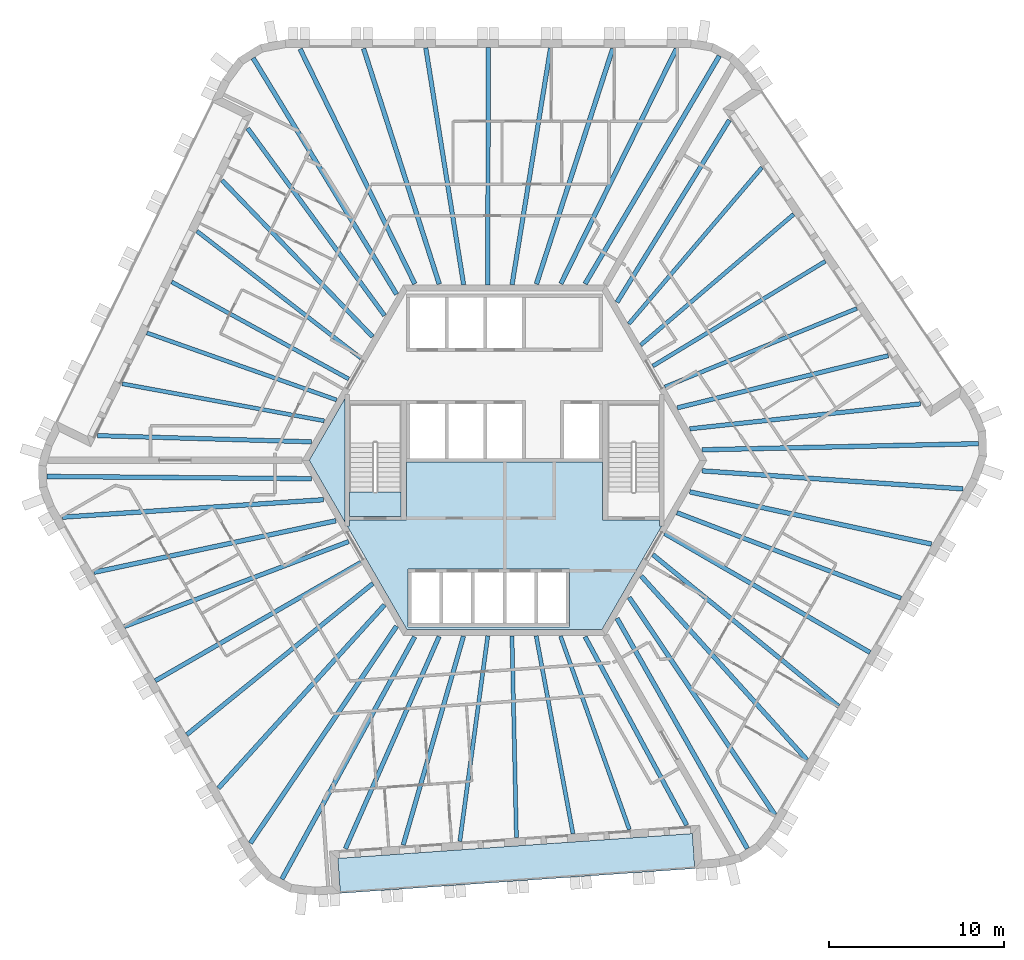
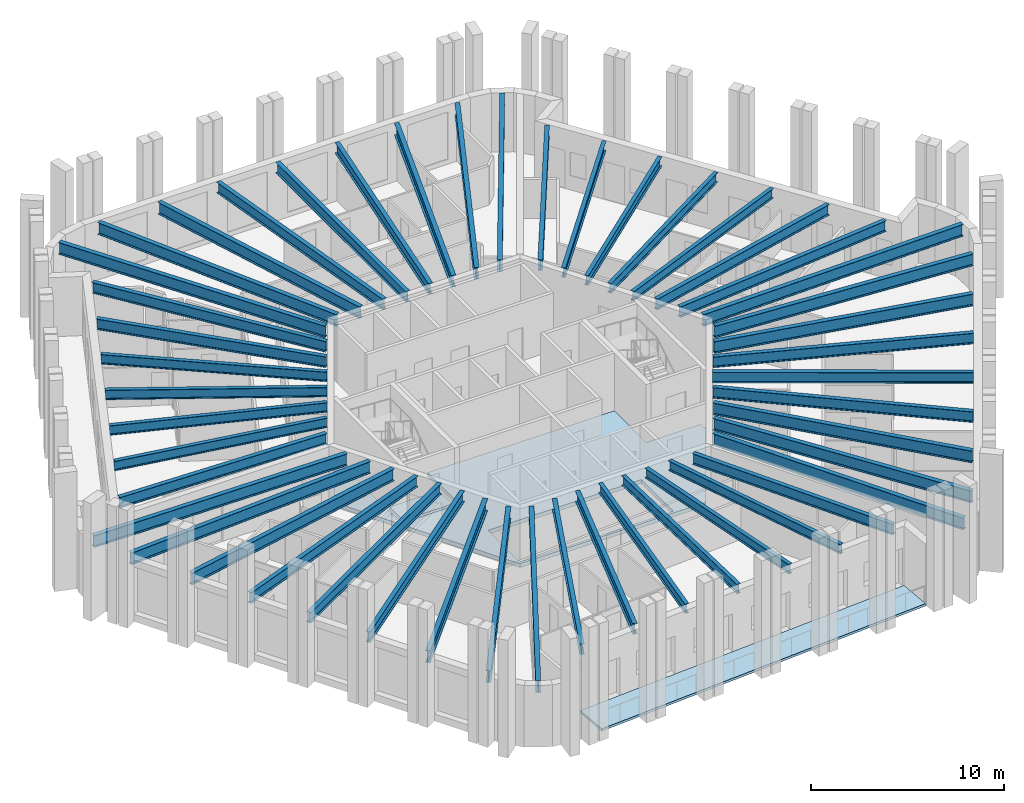
# One storey, part 1 of 12: 48 beams, 4 slabs.
"""IFC4 building model written with IfcOpenShell, lengths in metres."""

from ifc_helpers import new_model, si_unit, direction, frame, origin, origin_2d, place, context, subcontext, project, spatial, polyline, i_section, outline, extrude, material, layer, layer_set, material_profile, profile_set, type_object, element, save


model = new_model("IFC4")

# Units and contexts
model_context = context("Model", 3, precision=1e-05, world=origin(), true_north=direction((0.0, 1.0)))
body_context = subcontext(model_context, "Body", "Model", "MODEL_VIEW")
ifc_project = project(units=[si_unit("LENGTHUNIT", "METRE"), si_unit("AREAUNIT", "SQUARE_METRE"), si_unit("VOLUMEUNIT", "CUBIC_METRE"), si_unit("PLANEANGLEUNIT", "RADIAN"), si_unit("MASSUNIT", "GRAM", prefix="KILO")], contexts=[model_context])

# Site, building, storey
site_placement = place(None, origin())
site = spatial("IfcSite", under=ifc_project, at=site_placement, CompositionType="ELEMENT")
building_placement = place(site_placement, origin())
building = spatial("IfcBuilding", under=site, at=building_placement, Name="Tarnside Tower", CompositionType="ELEMENT")
storey_placement = place(building_placement, frame((0.0, 0.0, 369.0)))
storey = spatial("IfcBuildingStorey", under=building, at=storey_placement, Name="L89", CompositionType="ELEMENT", Elevation=369.0)

# Beams
ifc_material_1 = material(Name="Steel S355", Category="steel")
ifc_material_profile_1 = material_profile(ifc_material_1, i_section(OverallWidth=0.228271484375, OverallDepth=0.607666015625, WebThickness=0.010986328125, FlangeThickness=0.017333984375, FilletRadius=0.0126953125, at=origin_2d()), Name="UB 610x229x113")
ifc_profile_set_1 = profile_set([ifc_material_profile_1], Name="Steel S355")
beam_type_1 = type_object("IfcBeamType", Name="Floor beam UB 610x229x113", PredefinedType="BEAM", material=ifc_profile_set_1)
beam_1_placement = place(storey_placement, frame((-17.5537109375, 13.079345703125, 3.4462890625), z_axis=(0.790645071634, -0.612274750991, 0.0), x_axis=(0.612274750991, 0.790645071634, 0.0)))
element("IfcBeam", 1, at=beam_1_placement, inside=storey, type_object=beam_type_1, Name="Floor beam F2.03", PredefinedType="BEAM", context=body_context, shape_type="SweptSolid", body=[
    extrude(i_section(OverallWidth=0.228271484375, OverallDepth=0.607666015625, WebThickness=0.010986328125, FlangeThickness=0.017333984375, FilletRadius=0.0126953125, at=origin_2d()), origin(), (0.0, 0.0, 1.0), 11.829833984375),
])
beam_2_placement = place(storey_placement, frame((-18.98974609375, 10.1787109375, 3.4462890625), z_axis=(0.876798859106, -0.480857318412, 0.0), x_axis=(0.480857318412, 0.876798859106, 0.0)))
element("IfcBeam", 2, at=beam_2_placement, inside=storey, type_object=beam_type_1, Name="Floor beam F2.04", PredefinedType="BEAM", context=body_context, shape_type="SweptSolid", body=[
    extrude(i_section(OverallWidth=0.228271484375, OverallDepth=0.607666015625, WebThickness=0.010986328125, FlangeThickness=0.017333984375, FilletRadius=0.0126953125, at=origin_2d()), origin(), (0.0, 0.0, 1.0), 11.517578125),
])
beam_3_placement = place(storey_placement, frame((-20.408203125, 7.27099609375, 3.4462890625), z_axis=(0.942835979757, -0.33325713087, 0.0), x_axis=(0.33325713087, 0.942835979757, 0.0)))
element("IfcBeam", 3, at=beam_3_placement, inside=storey, type_object=beam_type_1, Name="Floor beam F2.05", PredefinedType="BEAM", context=body_context, shape_type="SweptSolid", body=[
    extrude(i_section(OverallWidth=0.228271484375, OverallDepth=0.607666015625, WebThickness=0.010986328125, FlangeThickness=0.017333984375, FilletRadius=0.0126953125, at=origin_2d()), origin(), (0.0, 0.0, 1.0), 11.4833984375),
])
beam_4_placement = place(storey_placement, frame((-21.80517578125, 4.3642578125, 3.4462890625), z_axis=(0.983583368825, -0.180454306048, 0.0), x_axis=(0.180454306048, 0.983583368825, 0.0)))
element("IfcBeam", 4, at=beam_4_placement, inside=storey, type_object=beam_type_1, Name="Floor beam F2.06", PredefinedType="BEAM", context=body_context, shape_type="SweptSolid", body=[
    extrude(i_section(OverallWidth=0.228271484375, OverallDepth=0.607666015625, WebThickness=0.010986328125, FlangeThickness=0.017333984375, FilletRadius=0.0126953125, at=origin_2d()), origin(), (0.0, 0.0, 1.0), 11.706787109375),
])
beam_5_placement = place(storey_placement, frame((-2.550048828125, -21.74169921875, 3.4462890625), z_axis=(0.134905991625, 0.990858402308, 0.0), x_axis=(-0.990858402308, 0.134905991625, 0.0)))
element("IfcBeam", 5, at=beam_5_placement, inside=storey, type_object=beam_type_1, Name="Floor beam F4.03", PredefinedType="BEAM", context=body_context, shape_type="SweptSolid", body=[
    extrude(i_section(OverallWidth=0.228271484375, OverallDepth=0.607666015625, WebThickness=0.010986328125, FlangeThickness=0.017333984375, FilletRadius=0.0126953125, at=origin_2d()), origin(), (0.0, 0.0, 1.0), 11.830078125),
])
beam_6_placement = place(storey_placement, frame((0.6796875, -21.53515625, 3.4462890625), z_axis=(-0.021959678074, 0.999758857195, 0.0), x_axis=(-0.999758857195, -0.021959678074, 0.0)))
element("IfcBeam", 6, at=beam_6_placement, inside=storey, type_object=beam_type_1, Name="Floor beam F4.04", PredefinedType="BEAM", context=body_context, shape_type="SweptSolid", body=[
    extrude(i_section(OverallWidth=0.228271484375, OverallDepth=0.607666015625, WebThickness=0.010986328125, FlangeThickness=0.017333984375, FilletRadius=0.0126953125, at=origin_2d()), origin(), (0.0, 0.0, 1.0), 11.517822265625),
])
beam_7_placement = place(storey_placement, frame((3.9072265625, -21.3095703125, 3.4462890625), z_axis=(-0.182818550439, 0.983146671466, 0.0), x_axis=(-0.983146671466, -0.182818550439, 0.0)))
element("IfcBeam", 7, at=beam_7_placement, inside=storey, type_object=beam_type_1, Name="Floor beam F4.05", PredefinedType="BEAM", context=body_context, shape_type="SweptSolid", body=[
    extrude(i_section(OverallWidth=0.228271484375, OverallDepth=0.607666015625, WebThickness=0.010986328125, FlangeThickness=0.017333984375, FilletRadius=0.0126953125, at=origin_2d()), origin(), (0.0, 0.0, 1.0), 11.4833984375),
])
beam_8_placement = place(storey_placement, frame((7.123046875, -21.06591796875, 3.4462890625), z_axis=(-0.335506617396, 0.94203784939, 0.0), x_axis=(-0.94203784939, -0.335506617396, 0.0)))
element("IfcBeam", 8, at=beam_8_placement, inside=storey, type_object=beam_type_1, Name="Floor beam F4.06", PredefinedType="BEAM", context=body_context, shape_type="SweptSolid", body=[
    extrude(i_section(OverallWidth=0.228271484375, OverallDepth=0.607666015625, WebThickness=0.010986328125, FlangeThickness=0.017333984375, FilletRadius=0.0126953125, at=origin_2d()), origin(), (0.0, 0.0, 1.0), 11.706787109375),
])
beam_9_placement = place(storey_placement, frame((20.10400390625, 8.662353515625, 3.4462890625), z_axis=(-0.925563720848, -0.378591862895, 0.0), x_axis=(0.378591862895, -0.925563720848, 0.0)))
element("IfcBeam", 9, at=beam_9_placement, inside=storey, type_object=beam_type_1, Name="Floor beam F6.03", PredefinedType="BEAM", context=body_context, shape_type="SweptSolid", body=[
    extrude(i_section(OverallWidth=0.228271484375, OverallDepth=0.607666015625, WebThickness=0.010986328125, FlangeThickness=0.017333984375, FilletRadius=0.0126953125, at=origin_2d()), origin(), (0.0, 0.0, 1.0), 11.830078125),
])
beam_10_placement = place(storey_placement, frame((18.31005859375, 11.356201171875, 3.4462890625), z_axis=(-0.854838892612, -0.518893503214, 0.0), x_axis=(0.518893503214, -0.854838892612, 0.0)))
element("IfcBeam", 10, at=beam_10_placement, inside=storey, type_object=beam_type_1, Name="Floor beam F6.04", PredefinedType="BEAM", context=body_context, shape_type="SweptSolid", body=[
    extrude(i_section(OverallWidth=0.228271484375, OverallDepth=0.607666015625, WebThickness=0.010986328125, FlangeThickness=0.017333984375, FilletRadius=0.0126953125, at=origin_2d()), origin(), (0.0, 0.0, 1.0), 11.517822265625),
])
beam_11_placement = place(storey_placement, frame((16.5009765625, 14.03857421875, 3.4462890625), z_axis=(-0.760013955451, -0.649906752942, 0.0), x_axis=(0.649906752942, -0.760013955451, 0.0)))
element("IfcBeam", 11, at=beam_11_placement, inside=storey, type_object=beam_type_1, Name="Floor beam F6.05", PredefinedType="BEAM", context=body_context, shape_type="SweptSolid", body=[
    extrude(i_section(OverallWidth=0.228271484375, OverallDepth=0.607666015625, WebThickness=0.010986328125, FlangeThickness=0.017333984375, FilletRadius=0.0126953125, at=origin_2d()), origin(), (0.0, 0.0, 1.0), 11.4833984375),
])
beam_12_placement = place(storey_placement, frame((14.68212890625, 16.70166015625, 3.4462890625), z_axis=(-0.648070250912, -0.761580560337, 0.0), x_axis=(0.761580560337, -0.648070250912, 0.0)))
element("IfcBeam", 12, at=beam_12_placement, inside=storey, type_object=beam_type_1, Name="Floor beam F6.06", PredefinedType="BEAM", context=body_context, shape_type="SweptSolid", body=[
    extrude(i_section(OverallWidth=0.228271484375, OverallDepth=0.607666015625, WebThickness=0.010986328125, FlangeThickness=0.017333984375, FilletRadius=0.0126953125, at=origin_2d()), origin(), (0.0, 0.0, 1.0), 11.70703125),
])
ifc_material_profile_2 = material_profile(ifc_material_1, i_section(OverallWidth=0.2529296875, OverallDepth=0.677978515625, WebThickness=0.01171875, FlangeThickness=0.01611328125, FilletRadius=0.01513671875, at=origin_2d()), Name="UB 686x254x125")
ifc_profile_set_2 = profile_set([ifc_material_profile_2], Name="Steel S355")
beam_type_2 = type_object("IfcBeamType", Name="Floor beam UB 686x254x125", PredefinedType="BEAM", material=ifc_profile_set_2)
beam_13_placement = place(storey_placement, frame((2.628662109375, 23.5302734375, 3.4111328125), z_axis=(-0.160646508519, -0.987012005652, 0.0), x_axis=(0.987012005652, -0.160646508519, 0.0)))
element("IfcBeam", 13, at=beam_13_placement, inside=storey, type_object=beam_type_2, Name="Floor beam F1.03", PredefinedType="BEAM", context=body_context, shape_type="SweptSolid", body=[
    extrude(i_section(OverallWidth=0.2529296875, OverallDepth=0.677978515625, WebThickness=0.01171875, FlangeThickness=0.01611328125, FilletRadius=0.01513671875, at=origin_2d()), origin(), (0.0, 0.0, 1.0), 13.688232421875),
])
beam_14_placement = place(storey_placement, frame((-0.931884765625, 23.550048828125, 3.4111328125), z_axis=(-0.001441413973, -0.999998961162, 0.0), x_axis=(0.999998961162, -0.001441413973, 0.0)))
element("IfcBeam", 14, at=beam_14_placement, inside=storey, type_object=beam_type_2, Name="Floor beam F1.04", PredefinedType="BEAM", context=body_context, shape_type="SweptSolid", body=[
    extrude(i_section(OverallWidth=0.2529296875, OverallDepth=0.677978515625, WebThickness=0.01171875, FlangeThickness=0.01611328125, FilletRadius=0.01513671875, at=origin_2d()), origin(), (0.0, 0.0, 1.0), 13.550048828125),
])
beam_15_placement = place(storey_placement, frame((-4.492431640625, 23.5302734375, 3.4111328125), z_axis=(0.157881934136, -0.987457996511, 0.0), x_axis=(0.987457996511, 0.157881934136, 0.0)))
element("IfcBeam", 15, at=beam_15_placement, inside=storey, type_object=beam_type_2, Name="Floor beam F1.05", PredefinedType="BEAM", context=body_context, shape_type="SweptSolid", body=[
    extrude(i_section(OverallWidth=0.2529296875, OverallDepth=0.677978515625, WebThickness=0.01171875, FlangeThickness=0.01611328125, FilletRadius=0.01513671875, at=origin_2d()), origin(), (0.0, 0.0, 1.0), 13.68212890625),
])
beam_16_placement = place(storey_placement, frame((-14.657470703125, 18.94580078125, 3.4111328125), z_axis=(0.590284711171, -0.807195118765, 0.0), x_axis=(0.807195118765, 0.590284711171, 0.0)))
element("IfcBeam", 16, at=beam_16_placement, inside=storey, type_object=beam_type_2, Name="Floor beam F2.01", PredefinedType="BEAM", context=body_context, shape_type="SweptSolid", body=[
    extrude(i_section(OverallWidth=0.2529296875, OverallDepth=0.677978515625, WebThickness=0.01171875, FlangeThickness=0.01611328125, FilletRadius=0.01513671875, at=origin_2d()), origin(), (0.0, 0.0, 1.0), 13.23974609375),
])
beam_17_placement = place(storey_placement, frame((-16.119873046875, 15.980224609375, 3.4111328125), z_axis=(0.693349119992, -0.720601830283, 0.0), x_axis=(0.720601830283, 0.693349119992, 0.0)))
element("IfcBeam", 17, at=beam_17_placement, inside=storey, type_object=beam_type_2, Name="Floor beam F2.02", PredefinedType="BEAM", context=body_context, shape_type="SweptSolid", body=[
    extrude(i_section(OverallWidth=0.2529296875, OverallDepth=0.677978515625, WebThickness=0.01171875, FlangeThickness=0.01611328125, FilletRadius=0.01513671875, at=origin_2d()), origin(), (0.0, 0.0, 1.0), 12.3984375),
])
beam_18_placement = place(storey_placement, frame((-23.22998046875, 1.406005859375, 3.4111328125), z_axis=(0.99958400974, -0.028841072664, 0.0), x_axis=(0.028841072664, 0.99958400974, 0.0)))
element("IfcBeam", 18, at=beam_18_placement, inside=storey, type_object=beam_type_2, Name="Floor beam F2.07", PredefinedType="BEAM", context=body_context, shape_type="SweptSolid", body=[
    extrude(i_section(OverallWidth=0.2529296875, OverallDepth=0.677978515625, WebThickness=0.01171875, FlangeThickness=0.01611328125, FilletRadius=0.01513671875, at=origin_2d()), origin(), (0.0, 0.0, 1.0), 12.215087890625),
])
beam_19_placement = place(storey_placement, frame((-21.692138671875, -9.48876953125, 3.4111328125), z_axis=(0.935097216102, 0.354391304124, 0.0), x_axis=(-0.354391304124, 0.935097216102, 0.0)))
element("IfcBeam", 19, at=beam_19_placement, inside=storey, type_object=beam_type_2, Name="Floor beam F3.03", PredefinedType="BEAM", context=body_context, shape_type="SweptSolid", body=[
    extrude(i_section(OverallWidth=0.2529296875, OverallDepth=0.677978515625, WebThickness=0.01171875, FlangeThickness=0.01611328125, FilletRadius=0.01513671875, at=origin_2d()), origin(), (0.0, 0.0, 1.0), 13.6884765625),
])
beam_20_placement = place(storey_placement, frame((-19.928955078125, -12.58203125, 3.4111328125), z_axis=(0.866745672107, 0.49875037833, 0.0), x_axis=(-0.49875037833, 0.866745672107, 0.0)))
element("IfcBeam", 20, at=beam_20_placement, inside=storey, type_object=beam_type_2, Name="Floor beam F3.04", PredefinedType="BEAM", context=body_context, shape_type="SweptSolid", body=[
    extrude(i_section(OverallWidth=0.2529296875, OverallDepth=0.677978515625, WebThickness=0.01171875, FlangeThickness=0.01611328125, FilletRadius=0.01513671875, at=origin_2d()), origin(), (0.0, 0.0, 1.0), 13.550048828125),
])
beam_21_placement = place(storey_placement, frame((-18.131591796875, -15.65576171875, 3.4111328125), z_axis=(0.77622369633, 0.630457590371, 0.0), x_axis=(-0.630457590371, 0.77622369633, 0.0)))
element("IfcBeam", 21, at=beam_21_placement, inside=storey, type_object=beam_type_2, Name="Floor beam F3.05", PredefinedType="BEAM", context=body_context, shape_type="SweptSolid", body=[
    extrude(i_section(OverallWidth=0.2529296875, OverallDepth=0.677978515625, WebThickness=0.01171875, FlangeThickness=0.01611328125, FilletRadius=0.01513671875, at=origin_2d()), origin(), (0.0, 0.0, 1.0), 13.68212890625),
])
beam_22_placement = place(storey_placement, frame((-9.078857421875, -22.16650390625, 3.4111328125), z_axis=(0.403913038749, 0.914797385834, 0.0), x_axis=(-0.914797385834, 0.403913038749, 0.0)))
element("IfcBeam", 22, at=beam_22_placement, inside=storey, type_object=beam_type_2, Name="Floor beam F4.01", PredefinedType="BEAM", context=body_context, shape_type="SweptSolid", body=[
    extrude(i_section(OverallWidth=0.2529296875, OverallDepth=0.677978515625, WebThickness=0.01171875, FlangeThickness=0.01611328125, FilletRadius=0.01513671875, at=origin_2d()), origin(), (0.0, 0.0, 1.0), 13.239501953125),
])
beam_23_placement = place(storey_placement, frame((-5.779296875, -21.9501953125, 3.4111328125), z_axis=(0.277391022539, 0.960757108022, 0.0), x_axis=(-0.960757108022, 0.277391022539, 0.0)))
element("IfcBeam", 23, at=beam_23_placement, inside=storey, type_object=beam_type_2, Name="Floor beam F4.02", PredefinedType="BEAM", context=body_context, shape_type="SweptSolid", body=[
    extrude(i_section(OverallWidth=0.2529296875, OverallDepth=0.677978515625, WebThickness=0.01171875, FlangeThickness=0.01611328125, FilletRadius=0.01513671875, at=origin_2d()), origin(), (0.0, 0.0, 1.0), 12.3984375),
])
beam_24_placement = place(storey_placement, frame((10.3974609375, -20.82080078125, 3.4111328125), z_axis=(-0.474802871876, 0.880092172933, 0.0), x_axis=(-0.880092172933, -0.474802871876, 0.0)))
element("IfcBeam", 24, at=beam_24_placement, inside=storey, type_object=beam_type_2, Name="Floor beam F4.07", PredefinedType="BEAM", context=body_context, shape_type="SweptSolid", body=[
    extrude(i_section(OverallWidth=0.2529296875, OverallDepth=0.677978515625, WebThickness=0.01171875, FlangeThickness=0.01611328125, FilletRadius=0.01513671875, at=origin_2d()), origin(), (0.0, 0.0, 1.0), 12.215087890625),
])
beam_25_placement = place(storey_placement, frame((19.0634765625, -14.04150390625, 3.4111328125), z_axis=(-0.774448963371, 0.632636390934, 0.0), x_axis=(-0.632636390934, -0.774448963371, 0.0)))
element("IfcBeam", 25, at=beam_25_placement, inside=storey, type_object=beam_type_2, Name="Floor beam F5.03", PredefinedType="BEAM", context=body_context, shape_type="SweptSolid", body=[
    extrude(i_section(OverallWidth=0.2529296875, OverallDepth=0.677978515625, WebThickness=0.01171875, FlangeThickness=0.01611328125, FilletRadius=0.01513671875, at=origin_2d()), origin(), (0.0, 0.0, 1.0), 13.688232421875),
])
beam_26_placement = place(storey_placement, frame((20.86083984375, -10.968017578125, 3.4111328125), z_axis=(-0.865300844595, 0.501252878639, 0.0), x_axis=(-0.501252878639, -0.865300844595, 0.0)))
element("IfcBeam", 26, at=beam_26_placement, inside=storey, type_object=beam_type_2, Name="Floor beam F5.04", PredefinedType="BEAM", context=body_context, shape_type="SweptSolid", body=[
    extrude(i_section(OverallWidth=0.2529296875, OverallDepth=0.677978515625, WebThickness=0.01171875, FlangeThickness=0.01611328125, FilletRadius=0.01513671875, at=origin_2d()), origin(), (0.0, 0.0, 1.0), 13.550048828125),
])
beam_27_placement = place(storey_placement, frame((22.6240234375, -7.87451171875, 3.4111328125), z_axis=(-0.934104171069, 0.357000556851, 0.0), x_axis=(-0.357000556851, -0.934104171069, 0.0)))
element("IfcBeam", 27, at=beam_27_placement, inside=storey, type_object=beam_type_2, Name="Floor beam F5.05", PredefinedType="BEAM", context=body_context, shape_type="SweptSolid", body=[
    extrude(i_section(OverallWidth=0.2529296875, OverallDepth=0.677978515625, WebThickness=0.01171875, FlangeThickness=0.01611328125, FilletRadius=0.01513671875, at=origin_2d()), origin(), (0.0, 0.0, 1.0), 13.68212890625),
])
beam_28_placement = place(storey_placement, frame((23.736083984375, 3.220703125, 3.4111328125), z_axis=(-0.994194525567, -0.107597608396, 0.0), x_axis=(0.107597608396, -0.994194525567, 0.0)))
element("IfcBeam", 28, at=beam_28_placement, inside=storey, type_object=beam_type_2, Name="Floor beam F6.01", PredefinedType="BEAM", context=body_context, shape_type="SweptSolid", body=[
    extrude(i_section(OverallWidth=0.2529296875, OverallDepth=0.677978515625, WebThickness=0.01171875, FlangeThickness=0.01611328125, FilletRadius=0.01513671875, at=origin_2d()), origin(), (0.0, 0.0, 1.0), 13.23974609375),
])
beam_29_placement = place(storey_placement, frame((21.899169921875, 5.969970703125, 3.4111328125), z_axis=(-0.970734945262, -0.240153421892, 0.0), x_axis=(0.240153421892, -0.970734945262, 0.0)))
element("IfcBeam", 29, at=beam_29_placement, inside=storey, type_object=beam_type_2, Name="Floor beam F6.02", PredefinedType="BEAM", context=body_context, shape_type="SweptSolid", body=[
    extrude(i_section(OverallWidth=0.2529296875, OverallDepth=0.677978515625, WebThickness=0.01171875, FlangeThickness=0.01611328125, FilletRadius=0.01513671875, at=origin_2d()), origin(), (0.0, 0.0, 1.0), 12.3984375),
])
beam_30_placement = place(storey_placement, frame((12.83251953125, 19.414794921875, 3.4111328125), z_axis=(-0.524775269126, -0.851240810179, 0.0), x_axis=(0.851240810179, -0.524775269126, 0.0)))
element("IfcBeam", 30, at=beam_30_placement, inside=storey, type_object=beam_type_2, Name="Floor beam F6.07", PredefinedType="BEAM", context=body_context, shape_type="SweptSolid", body=[
    extrude(i_section(OverallWidth=0.2529296875, OverallDepth=0.677978515625, WebThickness=0.01171875, FlangeThickness=0.01611328125, FilletRadius=0.01513671875, at=origin_2d()), origin(), (0.0, 0.0, 1.0), 12.215087890625),
])
ifc_material_profile_3 = material_profile(ifc_material_1, i_section(OverallWidth=0.26513671875, OverallDepth=0.75390625, WebThickness=0.0126953125, FlangeThickness=0.017578125, FilletRadius=0.0166015625, at=origin_2d()), Name="UB 762x267x147")
ifc_profile_set_3 = profile_set([ifc_material_profile_3], Name="Steel S355")
beam_type_3 = type_object("IfcBeamType", Name="Floor beam UB 762x267x147", PredefinedType="BEAM", material=ifc_profile_set_3)
beam_31_placement = place(storey_placement, frame((9.805419921875, 23.478271484375, 3.373046875), z_axis=(-0.441038082116, -0.897488389966, 0.0), x_axis=(0.897488389966, -0.441038082116, 0.0)))
element("IfcBeam", 31, at=beam_31_placement, inside=storey, type_object=beam_type_3, Name="Floor beam F1.01", PredefinedType="BEAM", context=body_context, shape_type="SweptSolid", body=[
    extrude(i_section(OverallWidth=0.26513671875, OverallDepth=0.75390625, WebThickness=0.0126953125, FlangeThickness=0.017578125, FilletRadius=0.0166015625, at=origin_2d()), origin(), (0.0, 0.0, 1.0), 14.937744140625),
])
beam_32_placement = place(storey_placement, frame((6.177001953125, 23.492919921875, 3.373046875), z_axis=(-0.308308550255, -0.951286412097, 0.0), x_axis=(0.951286412097, -0.308308550255, 0.0)))
element("IfcBeam", 32, at=beam_32_placement, inside=storey, type_object=beam_type_3, Name="Floor beam F1.02", PredefinedType="BEAM", context=body_context, shape_type="SweptSolid", body=[
    extrude(i_section(OverallWidth=0.26513671875, OverallDepth=0.75390625, WebThickness=0.0126953125, FlangeThickness=0.017578125, FilletRadius=0.0166015625, at=origin_2d()), origin(), (0.0, 0.0, 1.0), 14.123779296875),
])
beam_33_placement = place(storey_placement, frame((-8.041015625, 23.492919921875, 3.373046875), z_axis=(0.305833892652, -0.952084885977, 0.0), x_axis=(0.952084885977, 0.305833892652, 0.0)))
element("IfcBeam", 33, at=beam_33_placement, inside=storey, type_object=beam_type_3, Name="Floor beam F1.06", PredefinedType="BEAM", context=body_context, shape_type="SweptSolid", body=[
    extrude(i_section(OverallWidth=0.26513671875, OverallDepth=0.75390625, WebThickness=0.0126953125, FlangeThickness=0.017578125, FilletRadius=0.0166015625, at=origin_2d()), origin(), (0.0, 0.0, 1.0), 14.112060546875),
])
beam_34_placement = place(storey_placement, frame((-11.66943359375, 23.47802734375, 3.373046875), z_axis=(0.438980621391, -0.898496529789, 0.0), x_axis=(0.898496529789, 0.438980621391, 0.0)))
element("IfcBeam", 34, at=beam_34_placement, inside=storey, type_object=beam_type_3, Name="Floor beam F1.07", PredefinedType="BEAM", context=body_context, shape_type="SweptSolid", body=[
    extrude(i_section(OverallWidth=0.26513671875, OverallDepth=0.75390625, WebThickness=0.0126953125, FlangeThickness=0.017578125, FilletRadius=0.0166015625, at=origin_2d()), origin(), (0.0, 0.0, 1.0), 14.92041015625),
])
beam_35_placement = place(storey_placement, frame((-14.346435546875, 22.95361328125, 3.373046875), z_axis=(0.519050027983, -0.854743861312, 0.0), x_axis=(0.854743861312, 0.519050027983, 0.0)))
element("IfcBeam", 35, at=beam_35_placement, inside=storey, type_object=beam_type_3, Name="Floor beam C1", PredefinedType="BEAM", context=body_context, shape_type="SweptSolid", body=[
    extrude(i_section(OverallWidth=0.26513671875, OverallDepth=0.75390625, WebThickness=0.0126953125, FlangeThickness=0.017578125, FilletRadius=0.0166015625, at=origin_2d()), origin(), (0.0, 0.0, 1.0), 15.77294921875),
])
beam_36_placement = place(storey_placement, frame((-26.115234375, -0.922607421875, 3.373046875), z_axis=(0.99996409039, -0.008474546068, 0.0), x_axis=(0.008474546068, 0.99996409039, 0.0)))
element("IfcBeam", 36, at=beam_36_placement, inside=storey, type_object=beam_type_3, Name="Floor beam C2", PredefinedType="BEAM", context=body_context, shape_type="SweptSolid", body=[
    extrude(i_section(OverallWidth=0.26513671875, OverallDepth=0.75390625, WebThickness=0.0126953125, FlangeThickness=0.017578125, FilletRadius=0.0166015625, at=origin_2d()), origin(), (0.0, 0.0, 1.0), 15.095703125),
])
beam_37_placement = place(storey_placement, frame((-25.2353515625, -3.247314453125, 3.373046875), z_axis=(0.997767622241, 0.066781524448, 0.0), x_axis=(-0.066781524448, 0.997767622241, 0.0)))
element("IfcBeam", 37, at=beam_37_placement, inside=storey, type_object=beam_type_3, Name="Floor beam F3.01", PredefinedType="BEAM", context=body_context, shape_type="SweptSolid", body=[
    extrude(i_section(OverallWidth=0.26513671875, OverallDepth=0.75390625, WebThickness=0.0126953125, FlangeThickness=0.017578125, FilletRadius=0.0166015625, at=origin_2d()), origin(), (0.0, 0.0, 1.0), 14.937744140625),
])
beam_38_placement = place(storey_placement, frame((-23.43408203125, -6.39697265625, 3.373046875), z_axis=(0.977992742368, 0.208638912658, 0.0), x_axis=(-0.208638912658, 0.977992742368, 0.0)))
element("IfcBeam", 38, at=beam_38_placement, inside=storey, type_object=beam_type_3, Name="Floor beam F3.02", PredefinedType="BEAM", context=body_context, shape_type="SweptSolid", body=[
    extrude(i_section(OverallWidth=0.26513671875, OverallDepth=0.75390625, WebThickness=0.0126953125, FlangeThickness=0.017578125, FilletRadius=0.0166015625, at=origin_2d()), origin(), (0.0, 0.0, 1.0), 14.123779296875),
])
beam_39_placement = place(storey_placement, frame((-16.324951171875, -18.710205078125, 3.373046875), z_axis=(0.671613814762, 0.740901399526, 0.0), x_axis=(-0.740901399526, 0.671613814762, 0.0)))
element("IfcBeam", 39, at=beam_39_placement, inside=storey, type_object=beam_type_3, Name="Floor beam F3.06", PredefinedType="BEAM", context=body_context, shape_type="SweptSolid", body=[
    extrude(i_section(OverallWidth=0.26513671875, OverallDepth=0.75390625, WebThickness=0.0126953125, FlangeThickness=0.017578125, FilletRadius=0.0166015625, at=origin_2d()), origin(), (0.0, 0.0, 1.0), 14.112060546875),
])
beam_40_placement = place(storey_placement, frame((-14.497802734375, -21.84521484375, 3.373046875), z_axis=(0.558632311738, 0.829415420813, 0.0), x_axis=(-0.829415420813, 0.558632311738, 0.0)))
element("IfcBeam", 40, at=beam_40_placement, inside=storey, type_object=beam_type_3, Name="Floor beam F3.07", PredefinedType="BEAM", context=body_context, shape_type="SweptSolid", body=[
    extrude(i_section(OverallWidth=0.26513671875, OverallDepth=0.75390625, WebThickness=0.0126953125, FlangeThickness=0.017578125, FilletRadius=0.0166015625, at=origin_2d()), origin(), (0.0, 0.0, 1.0), 14.920654296875),
])
beam_41_placement = place(storey_placement, frame((-12.705322265625, -23.9013671875, 3.373046875), z_axis=(0.480710922029, 0.876879130463, 0.0), x_axis=(-0.876879130463, 0.480710922029, 0.0)))
element("IfcBeam", 41, at=beam_41_placement, inside=storey, type_object=beam_type_3, Name="Floor beam C3", PredefinedType="BEAM", context=body_context, shape_type="SweptSolid", body=[
    extrude(i_section(OverallWidth=0.26513671875, OverallDepth=0.75390625, WebThickness=0.0126953125, FlangeThickness=0.017578125, FilletRadius=0.0166015625, at=origin_2d()), origin(), (0.0, 0.0, 1.0), 15.77294921875),
])
beam_42_placement = place(storey_placement, frame((13.856689453125, -22.155029296875, 3.373046875), z_axis=(-0.492642822233, 0.870231606931, 0.0), x_axis=(-0.870231606931, -0.492642822233, 0.0)))
element("IfcBeam", 42, at=beam_42_placement, inside=storey, type_object=beam_type_3, Name="Floor beam C4", PredefinedType="BEAM", context=body_context, shape_type="SweptSolid", body=[
    extrude(i_section(OverallWidth=0.26513671875, OverallDepth=0.75390625, WebThickness=0.0126953125, FlangeThickness=0.017578125, FilletRadius=0.0166015625, at=origin_2d()), origin(), (0.0, 0.0, 1.0), 15.095703125),
])
beam_43_placement = place(storey_placement, frame((15.429931640625, -20.23095703125, 3.373046875), z_axis=(-0.556705108381, 0.830710191524, 0.0), x_axis=(-0.830710191524, -0.556705108381, 0.0)))
element("IfcBeam", 43, at=beam_43_placement, inside=storey, type_object=beam_type_3, Name="Floor beam F5.01", PredefinedType="BEAM", context=body_context, shape_type="SweptSolid", body=[
    extrude(i_section(OverallWidth=0.26513671875, OverallDepth=0.75390625, WebThickness=0.0126953125, FlangeThickness=0.017578125, FilletRadius=0.0166015625, at=origin_2d()), origin(), (0.0, 0.0, 1.0), 14.937744140625),
])
beam_44_placement = place(storey_placement, frame((17.257080078125, -17.095947265625, 3.373046875), z_axis=(-0.669693076209, 0.742637989654, 0.0), x_axis=(-0.742637989654, -0.669693076209, 0.0)))
element("IfcBeam", 44, at=beam_44_placement, inside=storey, type_object=beam_type_3, Name="Floor beam F5.02", PredefinedType="BEAM", context=body_context, shape_type="SweptSolid", body=[
    extrude(i_section(OverallWidth=0.26513671875, OverallDepth=0.75390625, WebThickness=0.0126953125, FlangeThickness=0.017578125, FilletRadius=0.0166015625, at=origin_2d()), origin(), (0.0, 0.0, 1.0), 14.1240234375),
])
beam_45_placement = place(storey_placement, frame((24.365966796875, -4.78271484375, 3.373046875), z_axis=(-0.977446315909, 0.211184041811, 0.0), x_axis=(-0.211184041811, -0.977446315909, 0.0)))
element("IfcBeam", 45, at=beam_45_placement, inside=storey, type_object=beam_type_3, Name="Floor beam F5.06", PredefinedType="BEAM", context=body_context, shape_type="SweptSolid", body=[
    extrude(i_section(OverallWidth=0.26513671875, OverallDepth=0.75390625, WebThickness=0.0126953125, FlangeThickness=0.017578125, FilletRadius=0.0166015625, at=origin_2d()), origin(), (0.0, 0.0, 1.0), 14.112060546875),
])
beam_46_placement = place(storey_placement, frame((26.16748046875, -1.633056640625, 3.373046875), z_axis=(-0.99760979709, 0.069099151587, 0.0), x_axis=(-0.069099151587, -0.99760979709, 0.0)))
element("IfcBeam", 46, at=beam_46_placement, inside=storey, type_object=beam_type_3, Name="Floor beam F5.07", PredefinedType="BEAM", context=body_context, shape_type="SweptSolid", body=[
    extrude(i_section(OverallWidth=0.26513671875, OverallDepth=0.75390625, WebThickness=0.0126953125, FlangeThickness=0.017578125, FilletRadius=0.0166015625, at=origin_2d()), origin(), (0.0, 0.0, 1.0), 14.920654296875),
])
beam_47_placement = place(storey_placement, frame((27.0517578125, 0.947509765625, 3.373046875), z_axis=(-0.999755015591, -0.022133883549, 0.0), x_axis=(0.022133883549, -0.999755015591, 0.0)))
element("IfcBeam", 47, at=beam_47_placement, inside=storey, type_object=beam_type_3, Name="Floor beam C5", PredefinedType="BEAM", context=body_context, shape_type="SweptSolid", body=[
    extrude(i_section(OverallWidth=0.26513671875, OverallDepth=0.75390625, WebThickness=0.0126953125, FlangeThickness=0.017578125, FilletRadius=0.0166015625, at=origin_2d()), origin(), (0.0, 0.0, 1.0), 15.773193359375),
])
beam_48_placement = place(storey_placement, frame((12.258544921875, 23.07763671875, 3.373046875), z_axis=(-0.507326131491, -0.861754139129, 0.0), x_axis=(0.861754139129, -0.507326131491, 0.0)))
element("IfcBeam", 48, at=beam_48_placement, inside=storey, type_object=beam_type_3, Name="Floor beam C6", PredefinedType="BEAM", context=body_context, shape_type="SweptSolid", body=[
    extrude(i_section(OverallWidth=0.26513671875, OverallDepth=0.75390625, WebThickness=0.0126953125, FlangeThickness=0.017578125, FilletRadius=0.0166015625, at=origin_2d()), origin(), (0.0, 0.0, 1.0), 15.095703125),
])

# Slabs
ifc_material_2 = material(Name="Concrete C40/50", Category="concrete")
ifc_layer_1 = layer(ifc_material_2, 0.25)
ifc_layer_set_1 = layer_set([ifc_layer_1], Name="Core slab C40/50")
slab_type_1 = type_object("IfcSlabType", Name="Core slab C40/50", PredefinedType="FLOOR", material=ifc_layer_set_1)
slab_1_placement = place(storey_placement, frame((0.0, 0.0, -0.25)))
element("IfcSlab", 49, at=slab_1_placement, inside=storey, type_object=slab_type_1, Name="L89 core floor slab 2", PredefinedType="FLOOR", context=body_context, shape_type="SweptSolid", body=[
    extrude(outline(polyline([(-9.10009765625, -3.538330078125), (-11.142822265625, 0.0), (-9.10009765625, 3.538330078125), (-9.10009765625, -3.538330078125)])), origin(), (0.0, 0.0, 1.0), 0.25),
])
slab_2_placement = place(storey_placement, frame((0.0, 0.0, -0.25)))
element("IfcSlab", 50, at=slab_2_placement, inside=storey, type_object=slab_type_1, Name="L89 core floor slab 3", PredefinedType="FLOOR", context=body_context, shape_type="SweptSolid", body=[
    extrude(outline(polyline([(-8.85009765625, -3.7548828125), (-8.85009765625, -3.39990234375), (-5.89990234375, -3.39990234375), (-5.60009765625, -3.39990234375), (-5.60009765625, -0.10009765625), (5.60009765625, -0.10009765625), (5.60009765625, -3.39990234375), (5.89990234375, -3.39990234375), (8.85009765625, -3.39990234375), (8.85009765625, -3.7548828125), (8.97509765625, -3.7548828125), (5.5712890625, -9.64990234375), (-5.5712890625, -9.64990234375), (-8.97509765625, -3.7548828125), (-8.85009765625, -3.7548828125)]), holes=[polyline([(-5.5, -9.5), (3.699951171875, -9.5), (3.699951171875, -9.300048828125), (3.699951171875, -6.39990234375), (3.699951171875, -6.199951171875), (-5.5, -6.199951171875), (-5.5, -6.39990234375), (-5.5, -9.300048828125), (-5.5, -9.5)])]), origin(), (0.0, 0.0, 1.0), 0.25),
])
slab_3_placement = place(storey_placement, frame((0.0, 0.0, -0.25)))
element("IfcSlab", 51, at=slab_3_placement, inside=storey, type_object=slab_type_1, Name="L89 core floor slab 5", PredefinedType="FLOOR", context=body_context, shape_type="SweptSolid", body=[
    extrude(outline(polyline([(-8.85009765625, -3.199951171875), (-8.85009765625, -1.800048828125), (-5.89990234375, -1.800048828125), (-5.89990234375, -3.199951171875), (-8.85009765625, -3.199951171875)])), origin(), (0.0, 0.0, 1.0), 0.25),
])
ifc_material_3 = material(Name="Timber decking", Category="wood")
ifc_layer_2 = layer(ifc_material_3, 0.0400390625)
ifc_material_4 = material(Name="Concrete C60/75 precast", Category="concrete")
ifc_layer_3 = layer(ifc_material_4, 0.110107421875)
ifc_layer_set_2 = layer_set([ifc_layer_2, ifc_layer_3], Name="Loggia deck 150")
slab_type_2 = type_object("IfcSlabType", Name="Loggia deck 150", PredefinedType="FLOOR", material=ifc_layer_set_2)
slab_4_placement = place(storey_placement, frame((0.0, 0.0, -0.14990234375)))
element("IfcSlab", 52, at=slab_4_placement, inside=storey, type_object=slab_type_2, Name="Loggia deck L89 F4", PredefinedType="FLOOR", context=body_context, shape_type="SweptSolid", body=[
    extrude(outline(polyline([(-9.5107421875, -22.71875), (10.721435546875, -21.303955078125), (10.86083984375, -23.299072265625), (-9.371337890625, -24.7138671875), (-9.5107421875, -22.71875)])), origin(), (0.0, 0.0, 1.0), 0.14990234375),
])

save(model, "model.ifc")
